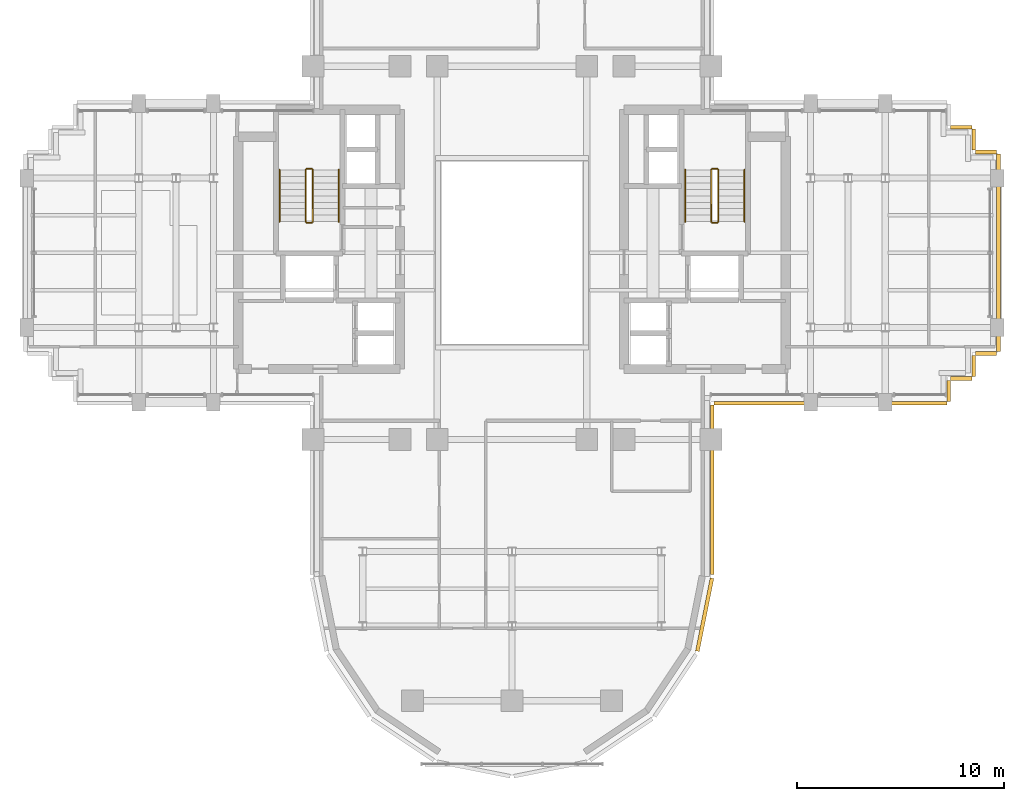
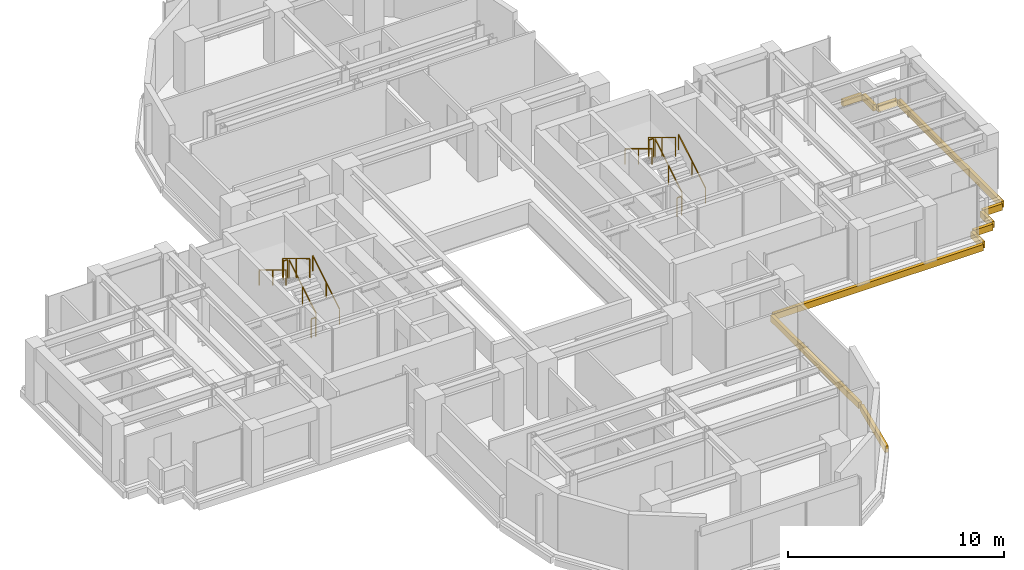
# One storey, part 13 of 14: 12 railings, 11 coverings.
"""IFC4 building model written with IfcOpenShell, lengths in metres."""

from ifc_helpers import new_model, si_unit, direction, frame, origin, origin_2d, place, context, subcontext, project, spatial, rectangle, extrude, source, transform, mapped, material, layer, layer_set, type_object, element, save


model = new_model("IFC4")

# Units and contexts
model_context = context("Model", 3, precision=1e-05, world=origin(), true_north=direction((0.0, 1.0)))
body_context = subcontext(model_context, "Body", "Model", "MODEL_VIEW")
ifc_project = project(units=[si_unit("LENGTHUNIT", "METRE"), si_unit("AREAUNIT", "SQUARE_METRE"), si_unit("VOLUMEUNIT", "CUBIC_METRE"), si_unit("PLANEANGLEUNIT", "RADIAN"), si_unit("MASSUNIT", "GRAM", prefix="KILO")], contexts=[model_context])

# Site, building, storey
site_placement = place(None, origin())
site = spatial("IfcSite", under=ifc_project, at=site_placement, CompositionType="ELEMENT")
building_placement = place(site_placement, origin())
building = spatial("IfcBuilding", under=site, at=building_placement, Name="Keilestroom Media Tower", CompositionType="ELEMENT")
storey_placement = place(building_placement, frame((0.0, 0.0, 110.800048828125)))
storey = spatial("IfcBuildingStorey", under=building, at=storey_placement, Name="L29", CompositionType="ELEMENT", Elevation=110.800048828125)

# Railings
ifc_material_1 = material(Name="Brushed Stainless Steel 1.4301", Category="steel")
railing_type_1 = type_object("IfcRailingType", Name="Stair-Pitch-Handrail-920", PredefinedType="HANDRAIL", material=ifc_material_1)
railing_1_placement = place(storey_placement, frame((-8.35009765625, 1.5, 0.188720703125)))
element("IfcRailing", 1, at=railing_1_placement, inside=storey, type_object=railing_type_1, Name="L29 ST-1 stair handrail 1", PredefinedType="HANDRAIL", context=body_context, shape_type="SweptSolid", body=[
    extrude(rectangle(XDim=0.048095703125, YDim=0.048095703125, at=origin_2d()), frame((0.0, 0.0, 0.8759765625), z_axis=(0.0, 0.855433747314, 0.517912255074), x_axis=(-1.0, 0.0, 0.0)), (0.0, 0.0, 1.0), 2.91796875),
    extrude(rectangle(XDim=0.0419921875, YDim=0.0419921875, at=origin_2d()), origin(), (0.0, 0.0, 1.0), 0.84375),
    extrude(rectangle(XDim=0.0419921875, YDim=0.0419921875, at=origin_2d()), frame((0.0, 1.248046875, 0.755615234375)), (0.0, 0.0, 1.0), 0.84375),
    extrude(rectangle(XDim=0.0419921875, YDim=0.0419921875, at=origin_2d()), frame((0.0, 2.49609375, 1.51123046875)), (0.0, 0.0, 1.0), 0.84375),
])
railing_2_placement = place(storey_placement, frame((-11.2099609375, 3.99609375, 1.888916015625)))
element("IfcRailing", 2, at=railing_2_placement, inside=storey, type_object=railing_type_1, Name="L29 ST-1 stair handrail 2", PredefinedType="HANDRAIL", context=body_context, shape_type="SweptSolid", body=[
    extrude(rectangle(XDim=0.048095703125, YDim=0.048095703125, at=origin_2d()), frame((0.0, 0.0, 0.8759765625), z_axis=(0.0, -0.855470815493, 0.517851024754), x_axis=(1.0, 0.0, 0.0)), (0.0, 0.0, 1.0), 2.917724609375),
    extrude(rectangle(XDim=0.0419921875, YDim=0.0419921875, at=origin_2d()), origin(), (0.0, 0.0, 1.0), 0.84375),
    extrude(rectangle(XDim=0.0419921875, YDim=0.0419921875, at=origin_2d()), frame((0.0, -1.248046875, 0.75537109375)), (0.0, 0.0, 1.0), 0.84375),
    extrude(rectangle(XDim=0.0419921875, YDim=0.0419921875, at=origin_2d()), frame((0.0, -2.49609375, 1.510986328125)), (0.0, 0.0, 1.0), 0.84375),
])
railing_3_placement = place(storey_placement, frame((11.2099609375, 1.5, 0.188720703125)))
element("IfcRailing", 3, at=railing_3_placement, inside=storey, type_object=railing_type_1, Name="L29 ST-2 stair handrail 1", PredefinedType="HANDRAIL", context=body_context, shape_type="SweptSolid", body=[
    extrude(rectangle(XDim=0.048095703125, YDim=0.048095703125, at=origin_2d()), frame((0.0, 0.0, 0.8759765625), z_axis=(0.0, 0.855433747314, 0.517912255074), x_axis=(-1.0, 0.0, 0.0)), (0.0, 0.0, 1.0), 2.91796875),
    extrude(rectangle(XDim=0.0419921875, YDim=0.0419921875, at=origin_2d()), origin(), (0.0, 0.0, 1.0), 0.84375),
    extrude(rectangle(XDim=0.0419921875, YDim=0.0419921875, at=origin_2d()), frame((0.0, 1.248046875, 0.755615234375)), (0.0, 0.0, 1.0), 0.84375),
    extrude(rectangle(XDim=0.0419921875, YDim=0.0419921875, at=origin_2d()), frame((0.0, 2.49609375, 1.51123046875)), (0.0, 0.0, 1.0), 0.84375),
])
railing_4_placement = place(storey_placement, frame((8.35009765625, 3.99609375, 1.888916015625)))
element("IfcRailing", 4, at=railing_4_placement, inside=storey, type_object=railing_type_1, Name="L29 ST-2 stair handrail 2", PredefinedType="HANDRAIL", context=body_context, shape_type="SweptSolid", body=[
    extrude(rectangle(XDim=0.048095703125, YDim=0.048095703125, at=origin_2d()), frame((0.0, 0.0, 0.8759765625), z_axis=(0.0, -0.855470815493, 0.517851024754), x_axis=(1.0, 0.0, 0.0)), (0.0, 0.0, 1.0), 2.917724609375),
    extrude(rectangle(XDim=0.0419921875, YDim=0.0419921875, at=origin_2d()), origin(), (0.0, 0.0, 1.0), 0.84375),
    extrude(rectangle(XDim=0.0419921875, YDim=0.0419921875, at=origin_2d()), frame((0.0, -1.248046875, 0.75537109375)), (0.0, 0.0, 1.0), 0.84375),
    extrude(rectangle(XDim=0.0419921875, YDim=0.0419921875, at=origin_2d()), frame((0.0, -2.49609375, 1.510986328125)), (0.0, 0.0, 1.0), 0.84375),
])
ifc_material_2 = material(Name="Painted Steel Balustrade", Category="steel")
railing_type_2 = type_object("IfcRailingType", Name="Stair-Well-And-Landing-Guard-1100", PredefinedType="GUARDRAIL", material=ifc_material_2)
railing_5_placement = place(storey_placement, frame((-9.610107421875, 1.5, 0.188720703125)))
element("IfcRailing", 5, at=railing_5_placement, inside=storey, type_object=railing_type_2, Name="L29 ST-1 stair guard 1", PredefinedType="GUARDRAIL", context=body_context, shape_type="SweptSolid", body=[
    extrude(rectangle(XDim=0.048095703125, YDim=0.048095703125, at=origin_2d()), frame((0.0, 0.0, 1.076171875), z_axis=(0.0, 0.855433747314, 0.517912255074), x_axis=(-1.0, 0.0, 0.0)), (0.0, 0.0, 1.0), 2.91796875),
    extrude(rectangle(XDim=0.0419921875, YDim=0.0419921875, at=origin_2d()), origin(), (0.0, 0.0, 1.0), 1.0439453125),
    extrude(rectangle(XDim=0.0419921875, YDim=0.0419921875, at=origin_2d()), frame((0.0, 1.248046875, 0.755615234375)), (0.0, 0.0, 1.0), 1.0439453125),
    extrude(rectangle(XDim=0.0419921875, YDim=0.0419921875, at=origin_2d()), frame((0.0, 2.49609375, 1.51123046875)), (0.0, 0.0, 1.0), 1.0439453125),
])
railing_6_placement = place(storey_placement, frame((-9.659912109375, 4.0458984375, 1.699951171875)))
element("IfcRailing", 6, at=railing_6_placement, inside=storey, type_object=railing_type_2, Name="L29 ST-1 stair guard 2", PredefinedType="GUARDRAIL", context=body_context, shape_type="SweptSolid", body=[
    extrude(rectangle(XDim=0.048095703125, YDim=0.048095703125, at=origin_2d()), frame((0.0, 0.0, 1.076171875), z_axis=(-1.0, 0.0, 0.0), x_axis=(0.0, -1.0, 0.0)), (0.0, 0.0, 1.0), 0.239990234375),
    extrude(rectangle(XDim=0.0419921875, YDim=0.0419921875, at=origin_2d()), origin(), (0.0, 0.0, 1.0), 1.0439453125),
    extrude(rectangle(XDim=0.0419921875, YDim=0.0419921875, at=origin_2d()), frame((-0.239990234375, 0.0, 0.0)), (0.0, 0.0, 1.0), 1.0439453125),
])
railing_7_placement = place(storey_placement, frame((-9.949951171875, 3.99609375, 1.888916015625)))
element("IfcRailing", 7, at=railing_7_placement, inside=storey, type_object=railing_type_2, Name="L29 ST-1 stair guard 3", PredefinedType="GUARDRAIL", context=body_context, shape_type="SweptSolid", body=[
    extrude(rectangle(XDim=0.048095703125, YDim=0.048095703125, at=origin_2d()), frame((0.0, 0.0, 1.076171875), z_axis=(0.0, -0.855470815493, 0.517851024754), x_axis=(1.0, 0.0, 0.0)), (0.0, 0.0, 1.0), 2.917724609375),
    extrude(rectangle(XDim=0.0419921875, YDim=0.0419921875, at=origin_2d()), origin(), (0.0, 0.0, 1.0), 1.0439453125),
    extrude(rectangle(XDim=0.0419921875, YDim=0.0419921875, at=origin_2d()), frame((0.0, -1.248046875, 0.75537109375)), (0.0, 0.0, 1.0), 1.0439453125),
    extrude(rectangle(XDim=0.0419921875, YDim=0.0419921875, at=origin_2d()), frame((0.0, -2.49609375, 1.510986328125)), (0.0, 0.0, 1.0), 1.0439453125),
])
railing_8_placement = place(storey_placement, frame((-9.659912109375, 1.449951171875, 0.0)))
element("IfcRailing", 8, at=railing_8_placement, inside=storey, type_object=railing_type_2, Name="L29 ST-1 stair guard 4", PredefinedType="GUARDRAIL", context=body_context, shape_type="SweptSolid", body=[
    extrude(rectangle(XDim=0.048095703125, YDim=0.048095703125, at=origin_2d()), frame((0.0, 0.0, 1.076171875), z_axis=(-1.0, 0.0, 0.0), x_axis=(0.0, -1.0, 0.0)), (0.0, 0.0, 1.0), 0.239990234375),
    extrude(rectangle(XDim=0.0419921875, YDim=0.0419921875, at=origin_2d()), origin(), (0.0, 0.0, 1.0), 1.0439453125),
    extrude(rectangle(XDim=0.0419921875, YDim=0.0419921875, at=origin_2d()), frame((-0.239990234375, 0.0, 0.0)), (0.0, 0.0, 1.0), 1.0439453125),
])
railing_9_placement = place(storey_placement, frame((9.949951171875, 1.5, 0.188720703125)))
element("IfcRailing", 9, at=railing_9_placement, inside=storey, type_object=railing_type_2, Name="L29 ST-2 stair guard 1", PredefinedType="GUARDRAIL", context=body_context, shape_type="SweptSolid", body=[
    extrude(rectangle(XDim=0.048095703125, YDim=0.048095703125, at=origin_2d()), frame((0.0, 0.0, 1.076171875), z_axis=(0.0, 0.855433747314, 0.517912255074), x_axis=(-1.0, 0.0, 0.0)), (0.0, 0.0, 1.0), 2.91796875),
    extrude(rectangle(XDim=0.0419921875, YDim=0.0419921875, at=origin_2d()), origin(), (0.0, 0.0, 1.0), 1.0439453125),
    extrude(rectangle(XDim=0.0419921875, YDim=0.0419921875, at=origin_2d()), frame((0.0, 1.248046875, 0.755615234375)), (0.0, 0.0, 1.0), 1.0439453125),
    extrude(rectangle(XDim=0.0419921875, YDim=0.0419921875, at=origin_2d()), frame((0.0, 2.49609375, 1.51123046875)), (0.0, 0.0, 1.0), 1.0439453125),
])
railing_10_placement = place(storey_placement, frame((9.89990234375, 4.0458984375, 1.699951171875)))
element("IfcRailing", 10, at=railing_10_placement, inside=storey, type_object=railing_type_2, Name="L29 ST-2 stair guard 2", PredefinedType="GUARDRAIL", context=body_context, shape_type="SweptSolid", body=[
    extrude(rectangle(XDim=0.048095703125, YDim=0.048095703125, at=origin_2d()), frame((0.0, 0.0, 1.076171875), z_axis=(-1.0, 0.0, 0.0), x_axis=(0.0, -1.0, 0.0)), (0.0, 0.0, 1.0), 0.239990234375),
    extrude(rectangle(XDim=0.0419921875, YDim=0.0419921875, at=origin_2d()), origin(), (0.0, 0.0, 1.0), 1.0439453125),
    extrude(rectangle(XDim=0.0419921875, YDim=0.0419921875, at=origin_2d()), frame((-0.239990234375, 0.0, 0.0)), (0.0, 0.0, 1.0), 1.0439453125),
])
railing_11_placement = place(storey_placement, frame((9.610107421875, 3.99609375, 1.888916015625)))
element("IfcRailing", 11, at=railing_11_placement, inside=storey, type_object=railing_type_2, Name="L29 ST-2 stair guard 3", PredefinedType="GUARDRAIL", context=body_context, shape_type="SweptSolid", body=[
    extrude(rectangle(XDim=0.048095703125, YDim=0.048095703125, at=origin_2d()), frame((0.0, 0.0, 1.076171875), z_axis=(0.0, -0.855470815493, 0.517851024754), x_axis=(1.0, 0.0, 0.0)), (0.0, 0.0, 1.0), 2.917724609375),
    extrude(rectangle(XDim=0.0419921875, YDim=0.0419921875, at=origin_2d()), origin(), (0.0, 0.0, 1.0), 1.0439453125),
    extrude(rectangle(XDim=0.0419921875, YDim=0.0419921875, at=origin_2d()), frame((0.0, -1.248046875, 0.75537109375)), (0.0, 0.0, 1.0), 1.0439453125),
    extrude(rectangle(XDim=0.0419921875, YDim=0.0419921875, at=origin_2d()), frame((0.0, -2.49609375, 1.510986328125)), (0.0, 0.0, 1.0), 1.0439453125),
])
railing_12_placement = place(storey_placement, frame((9.89990234375, 1.449951171875, 0.0)))
element("IfcRailing", 12, at=railing_12_placement, inside=storey, type_object=railing_type_2, Name="L29 ST-2 stair guard 4", PredefinedType="GUARDRAIL", context=body_context, shape_type="SweptSolid", body=[
    extrude(rectangle(XDim=0.048095703125, YDim=0.048095703125, at=origin_2d()), frame((0.0, 0.0, 1.076171875), z_axis=(-1.0, 0.0, 0.0), x_axis=(0.0, -1.0, 0.0)), (0.0, 0.0, 1.0), 0.239990234375),
    extrude(rectangle(XDim=0.0419921875, YDim=0.0419921875, at=origin_2d()), origin(), (0.0, 0.0, 1.0), 1.0439453125),
    extrude(rectangle(XDim=0.0419921875, YDim=0.0419921875, at=origin_2d()), frame((-0.239990234375, 0.0, 0.0)), (0.0, 0.0, 1.0), 1.0439453125),
])

# Coverings
ifc_material_3 = material(Name="Precast concrete C40/50", Category="concrete")
ifc_layer = layer(ifc_material_3, 0.1201171875)
ifc_layer_set = layer_set([ifc_layer], Name="Precast concrete C40/50")
covering_type = type_object("IfcCoveringType", Name="Exterior-Precast-Spandrel-Cladding-Panel-120", PredefinedType="CLADDING", material=ifc_layer_set)
shared_shape_1 = source(origin(), body_context, "Body", "SweptSolid", [
    extrude(rectangle(XDim=1.02001953125, YDim=0.179931640625, at=origin_2d()), origin(), (0.0, 0.0, 1.0), 0.360107421875),
])
for number, where, z_axis, x_axis, name in (
    (13, (22.860107421875, -4.860107421875, -0.5400390625), (0.0, 0.0, 1.0), (-1.0, 0.0, 0.0), "L29 Precast Slab-Edge Fascia Cornice 01"),
    (14, (22.260009765625, -5.4599609375, -0.5400390625), (0.0, 0.0, 1.0), (0.0, -1.0, 0.0), "L29 Precast Slab-Edge Fascia Cornice 02"),
    (15, (21.659912109375, -6.06005859375, -0.5400390625), (0.0, 0.0, 1.0), (-1.0, 0.0, 0.0), "L29 Precast Slab-Edge Fascia Cornice 03"),
    (16, (21.06005859375, -6.659912109375, -0.5400390625), (0.0, 0.0, 1.0), (0.0, -1.0, 0.0), "L29 Precast Slab-Edge Fascia Cornice 04"),
    (17, (21.659912109375, 6.06005859375, -0.5400390625), (0.0, 0.0, 1.0), (1.0, 0.0, 0.0), "L29 Precast Slab-Edge Fascia Cornice 39"),
    (18, (22.260009765625, 5.4599609375, -0.5400390625), (0.0, 0.0, 1.0), (0.0, -1.0, 0.0), "L29 Precast Slab-Edge Fascia Cornice 40"),
    (19, (22.860107421875, 4.860107421875, -0.5400390625), (0.0, 0.0, 1.0), (1.0, 0.0, 0.0), "L29 Precast Slab-Edge Fascia Cornice 41"),
):
    element("IfcCovering", number, at=place(storey_placement, frame(where, z_axis=z_axis, x_axis=x_axis)), inside=storey, type_object=covering_type, Name=name, PredefinedType="CLADDING", context=body_context, shape_type="MappedRepresentation", body=[
        mapped(shared_shape_1, transform((0.0, 0.0, 0.0), x_axis=(1.0, 0.0, 0.0), y_axis=(0.0, 1.0, 0.0), z_axis=(0.0, 0.0, 1.0), scale=1.0)),
    ])
shared_shape_2 = source(origin(), body_context, "Body", "SweptSolid", [
    extrude(rectangle(XDim=8.166015625, YDim=0.179931640625, at=origin_2d()), origin(), (0.0, 0.0, 1.0), 0.360107421875),
])
covering_1_placement = place(storey_placement, frame((9.659912109375, -11.43310546875, -0.5400390625), z_axis=(0.0, 0.0, 1.0), x_axis=(0.0, -1.0, 0.0)))
element("IfcCovering", 20, at=covering_1_placement, inside=storey, type_object=covering_type, Name="L29 Precast Slab-Edge Fascia Cornice 06", PredefinedType="CLADDING", context=body_context, shape_type="MappedRepresentation", body=[
    mapped(shared_shape_2, transform((0.0, 0.0, 0.0), x_axis=(1.0, 0.0, 0.0), y_axis=(0.0, 1.0, 0.0), z_axis=(0.0, 0.0, 1.0), scale=1.0)),
])
shared_shape_3 = source(origin(), body_context, "Body", "SweptSolid", [
    extrude(rectangle(XDim=3.58349609375, YDim=0.179931640625, at=origin_2d()), origin(), (0.0, 0.0, 1.0), 0.360107421875),
])
covering_2_placement = place(storey_placement, frame((9.29296875, -17.45166015625, -0.5400390625), z_axis=(0.0, 0.0, 1.0), x_axis=(-0.195098880975, -0.980783577882, 0.0)))
element("IfcCovering", 21, at=covering_2_placement, inside=storey, type_object=covering_type, Name="L29 Precast Slab-Edge Fascia Cornice 07", PredefinedType="CLADDING", context=body_context, shape_type="MappedRepresentation", body=[
    mapped(shared_shape_3, transform((0.0, 0.0, 0.0), x_axis=(1.0, 0.0, 0.0), y_axis=(0.0, 1.0, 0.0), z_axis=(0.0, 0.0, 1.0), scale=1.0)),
])
shared_shape_4 = source(origin(), body_context, "Body", "SweptSolid", [
    extrude(rectangle(XDim=9.5400390625, YDim=0.179931640625, at=origin_2d()), origin(), (0.0, 0.0, 1.0), 0.360107421875),
])
covering_3_placement = place(storey_placement, frame((23.4599609375, 0.0, -0.5400390625), z_axis=(0.0, 0.0, 1.0), x_axis=(0.0, -1.0, 0.0)))
element("IfcCovering", 22, at=covering_3_placement, inside=storey, type_object=covering_type, Name="L29 Precast Slab-Edge Fascia Cornice 42", PredefinedType="CLADDING", context=body_context, shape_type="MappedRepresentation", body=[
    mapped(shared_shape_4, transform((0.0, 0.0, 0.0), x_axis=(1.0, 0.0, 0.0), y_axis=(0.0, 1.0, 0.0), z_axis=(0.0, 0.0, 1.0), scale=1.0)),
])
shared_shape_5 = source(origin(), body_context, "Body", "SweptSolid", [
    extrude(rectangle(XDim=11.219970703125, YDim=0.179931640625, at=origin_2d()), origin(), (0.0, 0.0, 1.0), 0.360107421875),
])
covering_4_placement = place(storey_placement, frame((15.360107421875, -7.260009765625, -0.5400390625), z_axis=(0.0, 0.0, 1.0), x_axis=(-1.0, 0.0, 0.0)))
element("IfcCovering", 23, at=covering_4_placement, inside=storey, type_object=covering_type, Name="L29 Precast Slab-Edge Fascia Cornice 05", PredefinedType="CLADDING", context=body_context, shape_type="MappedRepresentation", body=[
    mapped(shared_shape_5, transform((0.0, 0.0, 0.0), x_axis=(1.0, 0.0, 0.0), y_axis=(0.0, 1.0, 0.0), z_axis=(0.0, 0.0, 1.0), scale=1.0)),
])

save(model, "model.ifc")
